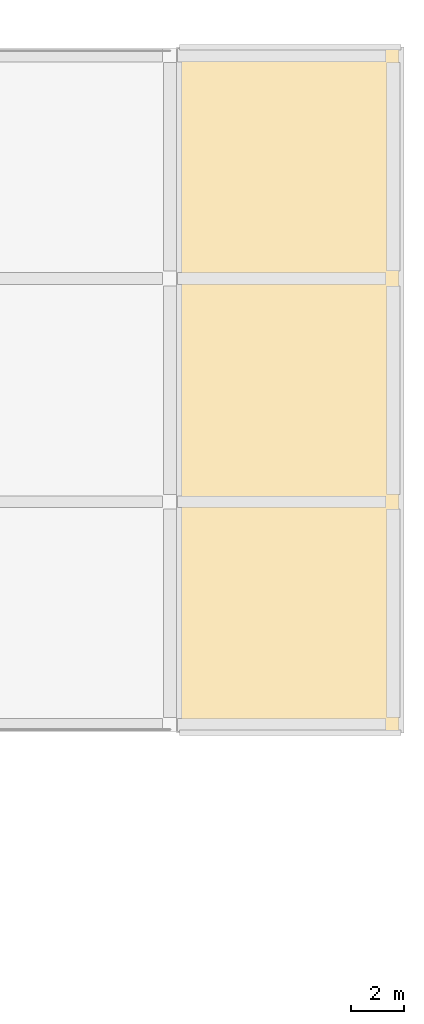
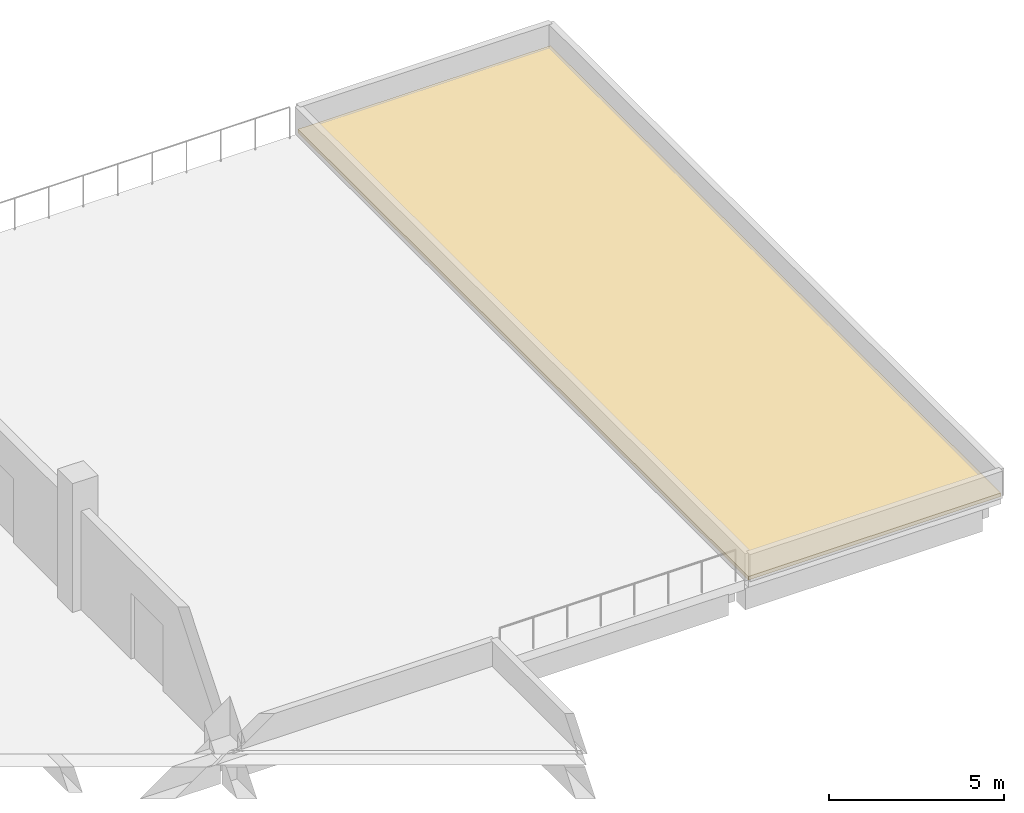
# One storey, part 128 of 129: 1 covering.
"""IFC4 building model written with IfcOpenShell, lengths in metres."""

from ifc_helpers import new_model, si_unit, direction, frame, origin, place, context, subcontext, project, spatial, polyline, outline, extrude, material, layer, layer_set, type_object, element, save


model = new_model("IFC4")

# Units and contexts
model_context = context("Model", 3, precision=1e-05, world=origin(), true_north=direction((0.0, 1.0)))
body_context = subcontext(model_context, "Body", "Model", "MODEL_VIEW")
ifc_project = project(units=[si_unit("LENGTHUNIT", "METRE"), si_unit("AREAUNIT", "SQUARE_METRE"), si_unit("VOLUMEUNIT", "CUBIC_METRE"), si_unit("PLANEANGLEUNIT", "RADIAN"), si_unit("MASSUNIT", "GRAM", prefix="KILO")], contexts=[model_context])

# Site, building, storey
site_placement = place(None, origin())
site = spatial("IfcSite", under=ifc_project, at=site_placement, CompositionType="ELEMENT")
building_placement = place(site_placement, origin())
building = spatial("IfcBuilding", under=site, at=building_placement, Name="Xazarin Passage Department Store", CompositionType="ELEMENT")
storey_placement = place(building_placement, frame((0.0, 0.0, 9.89990234375)))
storey = spatial("IfcBuildingStorey", under=building, at=storey_placement, Name="L02", CompositionType="ELEMENT", Elevation=9.89990234375)

# Covering
ifc_material = material(Name="Insulated waterproof roofing membrane")
ifc_layer = layer(ifc_material, 0.1201171875)
ifc_layer_set = layer_set([ifc_layer], Name="Insulated waterproof roofing membrane")
covering_type = type_object("IfcCoveringType", Name="ARC-COV-RFG120", PredefinedType="ROOFING", material=ifc_layer_set)
covering_placement = place(storey_placement, origin())
element("IfcCovering", 1, at=covering_placement, inside=storey, type_object=covering_type, Name="L02 Insulated Roofing Membrane SLB-V4-L02-STEP-2", PredefinedType="ROOFING", context=body_context, shape_type="SweptSolid", body=[
    extrude(outline(polyline([(161.550048828125, 84.5), (169.89990234375, 84.5), (169.89990234375, 110.300048828125), (161.550048828125, 110.300048828125), (161.550048828125, 84.5)])), origin(), (0.0, 0.0, 1.0), 0.1201171875),
])

save(model, "model.ifc")
